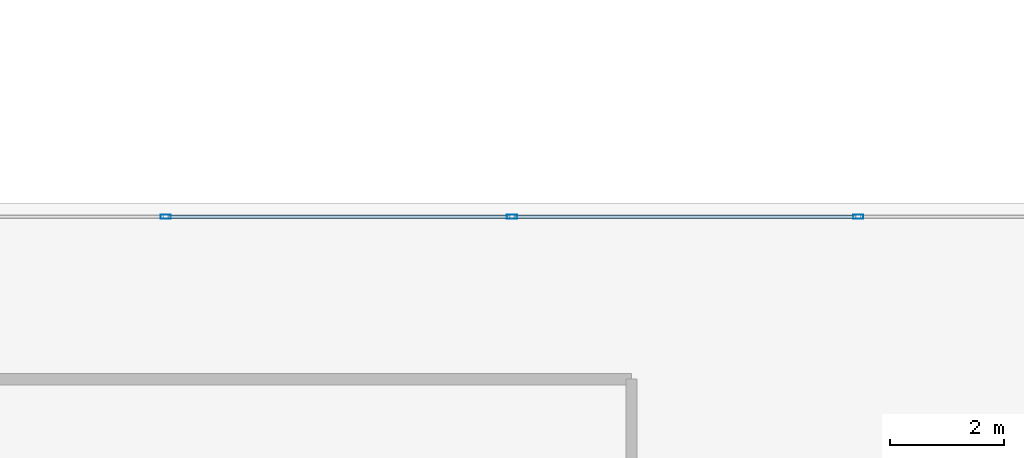
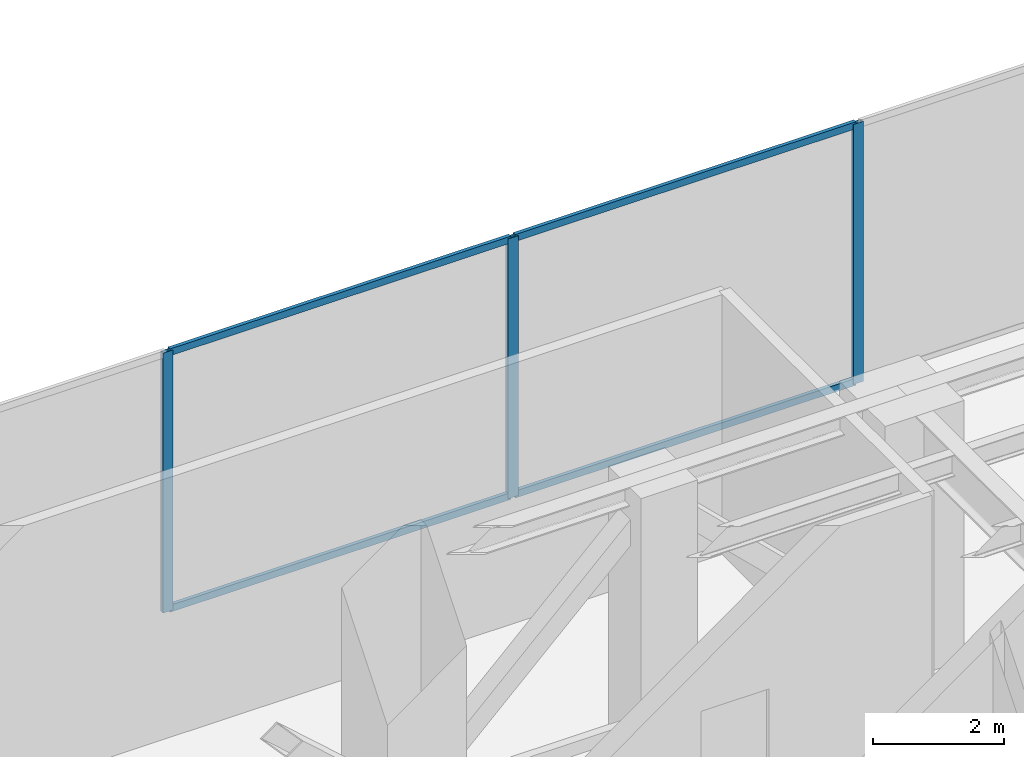
# One storey, part 18 of 37: 7 members, 1 element without a shape of its own.
"""IFC4 building model written with IfcOpenShell, lengths in metres."""

import ifcopenshell
import ifcopenshell.guid

model = None  # the IFC model being written
_history = None  # IfcOwnerHistory: only IFC2X3 demands one
_inside = {}  # id of a spatial element -> (the spatial element, [elements in it])
_under = {}  # id of a project, library or spatial element -> (it, [spatial elements below it])
_declared = {}  # id of a project -> (the project, [libraries it declares])
_typed = {}  # id of a type object -> (the type object, [elements of that type])
_made_of = {}  # id of a material, layer set ... -> (it, [elements and type objects made of it])


def new_model(schema):
    """Start an empty IFC model of exactly this schema.

    Asked for "IFC4X3", IfcOpenShell would pick the latest addendum, in which some entities
    have other attributes; the version numbers below select the first issue.
    IFC2X3 requires an IfcOwnerHistory on every rooted entity: one is made here for all.
    """
    global model, _history
    if schema == "IFC4X3":
        model = ifcopenshell.file(schema_version=(4, 3, 0, 0))
    else:
        model = ifcopenshell.file(schema=schema)
    _inside.clear()
    _under.clear()
    _declared.clear()
    _typed.clear()
    _made_of.clear()
    _history = None
    if model.schema == "IFC2X3":
        org = make("IfcOrganization", Name="unknown")
        user = make(
            "IfcPersonAndOrganization",
            ThePerson=make("IfcPerson", FamilyName="unknown"),
            TheOrganization=org,
        )
        app = make(
            "IfcApplication",
            ApplicationDeveloper=org,
            Version="unknown",
            ApplicationFullName="unknown",
            ApplicationIdentifier="unknown",
        )
        _history = make(
            "IfcOwnerHistory",
            OwningUser=user,
            OwningApplication=app,
            ChangeAction="ADDED",
            CreationDate=0,
        )
    return model


def make(cls, **values):
    """One entity of the class cls with the attributes given. An attribute that is None is left unset."""
    return model.create_entity(
        cls, **{name: value for name, value in values.items() if value is not None}
    )


def rooted(cls, **values):
    """An entity with a GlobalId (a new one), such as an element, a storey or a relation."""
    return make(cls, GlobalId=ifcopenshell.guid.new(), OwnerHistory=_history, **values)


def si_unit(unit_type, name, prefix=None):
    """IfcSIUnit, for example si_unit("LENGTHUNIT", "METRE", prefix="MILLI")."""
    return make("IfcSIUnit", UnitType=unit_type, Prefix=prefix, Name=name)


def assignment(units):
    """IfcUnitAssignment: the units of a project."""
    return None if units is None else make("IfcUnitAssignment", Units=units)


def point(xyz):
    """IfcCartesianPoint."""
    return None if xyz is None else make("IfcCartesianPoint", Coordinates=xyz)


def direction(xyz):
    """IfcDirection."""
    return None if xyz is None else make("IfcDirection", DirectionRatios=xyz)


def frame(location, z_axis=None, x_axis=None):
    """IfcAxis2Placement3D, a coordinate frame: its origin and axes. An axis left out is left unset."""
    return make(
        "IfcAxis2Placement3D",
        Location=point(location),
        Axis=direction(z_axis),
        RefDirection=direction(x_axis),
    )


def frame_2d(location, x_axis=None):
    """IfcAxis2Placement2D, a coordinate frame in the plane: its origin and x axis."""
    return make(
        "IfcAxis2Placement2D", Location=point(location), RefDirection=direction(x_axis)
    )


def origin():
    """The frame at (0, 0, 0) with its axes left unset."""
    return frame((0.0, 0.0, 0.0))


def origin_with_axes():
    """The frame at (0, 0, 0) with the z axis (0, 0, 1) and the x axis (1, 0, 0) written out."""
    return frame((0.0, 0.0, 0.0), z_axis=(0.0, 0.0, 1.0), x_axis=(1.0, 0.0, 0.0))


def origin_2d():
    """The frame at (0, 0) in the plane with its x axis left unset."""
    return frame_2d((0.0, 0.0))


def place(relative_to, where):
    """IfcLocalPlacement: puts the frame where relative to a parent placement (None: the world)."""
    return make(
        "IfcLocalPlacement", PlacementRelTo=relative_to, RelativePlacement=where
    )


def context(
    kind, dimensions, precision=None, world=None, true_north=None, identifier=None
):
    """IfcGeometricRepresentationContext, for example the 3D "Model" context."""
    return make(
        "IfcGeometricRepresentationContext",
        ContextIdentifier=identifier,
        ContextType=kind,
        CoordinateSpaceDimension=dimensions,
        Precision=precision,
        WorldCoordinateSystem=world,
        TrueNorth=true_north,
    )


def subcontext(parent, identifier, kind, view, scale=None):
    """IfcGeometricRepresentationSubContext, for example "Body" below "Model"."""
    return make(
        "IfcGeometricRepresentationSubContext",
        ContextIdentifier=identifier,
        ContextType=kind,
        ParentContext=parent,
        TargetScale=scale,
        TargetView=view,
    )


def project(units=None, contexts=None):
    """IfcProject with its units and contexts."""
    return rooted(
        "IfcProject",
        Name="project",
        RepresentationContexts=contexts,
        UnitsInContext=assignment(units),
    )


def spatial(cls, under=None, at=None, **own):
    """A site, building, storey or space (cls), placed at a placement, below another one or the project."""
    s = rooted(cls, ObjectPlacement=at, **own)
    if under is not None:
        _under.setdefault(under.id(), (under, []))[1].append(s)
    return s


def profile(cls, at=None, kind="AREA", **sizes):
    """A parametric profile (cls). Its sizes go by their IFC names, for example OverallWidth=200.0."""
    return make(cls, ProfileType=kind, Position=at, **sizes)


def hollow_rectangle(**sizes):
    """IfcRectangleHollowProfileDef."""
    return profile("IfcRectangleHollowProfileDef", **sizes)


def extrude(swept, where, along, depth):
    """IfcExtrudedAreaSolid: the profile swept, set in the frame where, extruded along a direction by depth."""
    return make(
        "IfcExtrudedAreaSolid",
        SweptArea=swept,
        Position=where,
        ExtrudedDirection=direction(along),
        Depth=depth,
    )


def shape(context_of_items, identifier, shape_type, items):
    """IfcShapeRepresentation: the items that make up one representation, for example the "Body"."""
    return make(
        "IfcShapeRepresentation",
        ContextOfItems=context_of_items,
        RepresentationIdentifier=identifier,
        RepresentationType=shape_type,
        Items=items,
    )


def source(mapping_origin, context_of_items, identifier, shape_type, items):
    """IfcRepresentationMap: a shape defined once, which mapped items show again and again."""
    return make(
        "IfcRepresentationMap",
        MappingOrigin=mapping_origin,
        MappedRepresentation=shape(context_of_items, identifier, shape_type, items),
    )


def transform(
    local_origin,
    x_axis=None,
    y_axis=None,
    z_axis=None,
    scale=None,
    scale2=None,
    scale3=None,
    uniform=True,
):
    """IfcCartesianTransformationOperator3D, or its non-uniform kind. x_axis, y_axis, z_axis: its Axis1, 2, 3."""
    if uniform:
        return make(
            "IfcCartesianTransformationOperator3D",
            Axis1=direction(x_axis),
            Axis2=direction(y_axis),
            LocalOrigin=point(local_origin),
            Scale=scale,
            Axis3=direction(z_axis),
        )
    return make(
        "IfcCartesianTransformationOperator3DnonUniform",
        Axis1=direction(x_axis),
        Axis2=direction(y_axis),
        LocalOrigin=point(local_origin),
        Scale=scale,
        Axis3=direction(z_axis),
        Scale2=scale2,
        Scale3=scale3,
    )


def mapped(mapping_source, mapping_target):
    """IfcMappedItem: shows the shape of a source again, moved by a transform."""
    return make(
        "IfcMappedItem", MappingSource=mapping_source, MappingTarget=mapping_target
    )


def material(Name=None, Category=None):
    """IfcMaterial."""
    return make("IfcMaterial", Name=Name, Category=Category)


def layer(
    of_material, thickness, ventilated=None, Name=None, Category=None, Priority=None
):
    """IfcMaterialLayer: one layer of a wall or slab, of a material (None: an air gap)."""
    return make(
        "IfcMaterialLayer",
        Material=of_material,
        LayerThickness=thickness,
        IsVentilated=ventilated,
        Name=Name,
        Category=Category,
        Priority=Priority,
    )


def layer_set(layers, Name=None):
    """IfcMaterialLayerSet."""
    return make("IfcMaterialLayerSet", MaterialLayers=layers, LayerSetName=Name)


def material_profile(
    of_material, cross_section, Name=None, Category=None, Priority=None
):
    """IfcMaterialProfile: a cross section and its material."""
    return make(
        "IfcMaterialProfile",
        Name=Name,
        Material=of_material,
        Profile=cross_section,
        Priority=Priority,
        Category=Category,
    )


def profile_set(profiles, Name=None, composite=None):
    """IfcMaterialProfileSet."""
    return make(
        "IfcMaterialProfileSet",
        Name=Name,
        MaterialProfiles=profiles,
        CompositeProfile=composite,
    )


def made_of(thing, what):
    """Note that an element or type object is made of a material, layer set ...; save() writes the relation."""
    if what is not None:
        _made_of.setdefault(what.id(), (what, []))[1].append(thing)
    return thing


def type_object(cls, material=None, **own):
    """A type object (cls), such as IfcWallType, which elements share."""
    return made_of(rooted(cls, **own), material)


def element(
    cls,
    number,
    at=None,
    inside=None,
    cuts=None,
    type_object=None,
    material=None,
    context=None,
    identifier="Body",
    shape_type=None,
    held_by="IfcProductDefinitionShape",
    body=None,
    shapes=None,
    **own,
):
    """One element of the class cls, such as IfcWall. Its Tag is "e" and its number.

    at: its placement. inside: the storey or other place that contains it. cuts: it is an
    opening in that element (IfcRelVoidsElement). A single representation is given by context,
    identifier, shape_type and body (its items); several are given by shapes. held_by: the class
    of the entity that holds the representations. save() writes the other relations.
    """
    e = rooted(cls, Tag="e%d" % number, ObjectPlacement=at, **own)
    if body is not None:
        shapes = [shape(context, identifier, shape_type, body)]
    if shapes is not None:
        e.Representation = make(held_by, Representations=shapes)
    if inside is not None:
        _inside.setdefault(inside.id(), (inside, []))[1].append(e)
    if cuts is not None:
        rooted(
            "IfcRelVoidsElement", RelatingBuildingElement=cuts, RelatedOpeningElement=e
        )
    if type_object is not None:
        _typed.setdefault(type_object.id(), (type_object, []))[1].append(e)
    return made_of(e, material)


def aggregate(whole, parts):
    """IfcRelAggregates: a whole, such as a stair, and the parts it consists of."""
    return rooted("IfcRelAggregates", RelatingObject=whole, RelatedObjects=parts)


def save(model, path):
    """Write the relations noted so far, then the file.

    IfcRelAggregates (storeys below a building ...), IfcRelContainedInSpatialStructure (elements
    in a storey), IfcRelDefinesByType, IfcRelAssociatesMaterial and IfcRelDeclares: one each for
    every whole, place, type object, material and project.
    """
    for whole, parts in _under.values():
        aggregate(whole, parts)
    for where, things in _inside.values():
        rooted(
            "IfcRelContainedInSpatialStructure",
            RelatedElements=things,
            RelatingStructure=where,
        )
    for kind, things in _typed.values():
        rooted("IfcRelDefinesByType", RelatedObjects=things, RelatingType=kind)
    for what, things in _made_of.values():
        rooted("IfcRelAssociatesMaterial", RelatedObjects=things, RelatingMaterial=what)
    for by, libraries in _declared.values():
        rooted("IfcRelDeclares", RelatingContext=by, RelatedDefinitions=libraries)
    model.write(path)


model = new_model("IFC4")

# Units and contexts
model_context = context("Model", 3, precision=1e-05, world=origin(), true_north=direction((0.0, 1.0)))
body_context = subcontext(model_context, "Body", "Model", "MODEL_VIEW")
ifc_project = project(units=[si_unit("LENGTHUNIT", "METRE"), si_unit("AREAUNIT", "SQUARE_METRE"), si_unit("VOLUMEUNIT", "CUBIC_METRE"), si_unit("PLANEANGLEUNIT", "RADIAN"), si_unit("MASSUNIT", "GRAM", prefix="KILO")], contexts=[model_context])

# Site, building, storey
site_placement = place(None, origin())
site = spatial("IfcSite", under=ifc_project, at=site_placement, CompositionType="ELEMENT")
building_placement = place(site_placement, origin())
building = spatial("IfcBuilding", under=site, at=building_placement, Name="Kolvaren Waterfront Exchange", CompositionType="ELEMENT")
storey_placement = place(building_placement, frame((0.0, 0.0, 141.10009765625)))
storey = spatial("IfcBuildingStorey", under=building, at=storey_placement, Name="L36", CompositionType="ELEMENT", Elevation=141.10009765625)

# Curtain wall, members
ifc_material_1 = material(Name="Anodised dark bronze spandrel aluminium", Category="aluminium")
ifc_layer = layer(ifc_material_1, 0.219970703125, Name="Anodised dark bronze spandrel aluminium")
ifc_layer_set = layer_set([ifc_layer], Name="Anodised dark bronze spandrel aluminium")
curtain_wall_type = type_object("IfcCurtainWallType", Name="ARC-CW-SYS6", PredefinedType="USERDEFINED", material=ifc_layer_set)
curtain_wall_placement = place(storey_placement, origin())
curtain_wall = element("IfcCurtainWall", 1, at=curtain_wall_placement, inside=storey, type_object=curtain_wall_type, Name="L36 stick curtain wall CW6 (CW-L36-EN)", ObjectType="STICK CURTAIN WALL", PredefinedType="USERDEFINED")
ifc_material_2 = material(Name="Anodised bronze aluminium 6063-T6", Category="aluminium")
ifc_material_profile_1 = material_profile(ifc_material_2, hollow_rectangle(XDim=0.074951171875, YDim=0.179931640625, WallThickness=0.00439453125, at=origin_2d()), Name="ALU-MUL-180x75x4.5")
ifc_profile_set_1 = profile_set([ifc_material_profile_1], Name="Anodised bronze aluminium 6063-T6")
member_type_1 = type_object("IfcMemberType", Name="ARC-CWM-180", PredefinedType="MULLION", material=ifc_profile_set_1)
shared_shape_1 = source(origin_with_axes(), body_context, "Body", "SweptSolid", [
    extrude(hollow_rectangle(XDim=0.074951171875, YDim=0.179931640625, WallThickness=0.00439453125, at=origin_2d()), origin(), (0.0, 0.0, 1.0), 4.85986328125),
])
member_1_placement = place(storey_placement, frame((36.392578125, 23.9599609375, 0.0), z_axis=(0.0, 0.0, 1.0), x_axis=(0.0, 1.0, 0.0)))
member_1 = element("IfcMember", 2, at=member_1_placement, type_object=member_type_1, Name="CW6 mullion 2", PredefinedType="MULLION", context=body_context, shape_type="MappedRepresentation", body=[
    mapped(shared_shape_1, transform((0.0, 0.0, 0.0), x_axis=(1.0, 0.0, 0.0), y_axis=(0.0, 1.0, 0.0), z_axis=(0.0, 0.0, 1.0), scale=1.0)),
])
member_2_placement = place(storey_placement, frame((42.4951171875, 23.9599609375, 0.0), z_axis=(0.0, 0.0, 1.0), x_axis=(0.0, 1.0, 0.0)))
member_2 = element("IfcMember", 3, at=member_2_placement, type_object=member_type_1, Name="CW6 mullion 3", PredefinedType="MULLION", context=body_context, shape_type="MappedRepresentation", body=[
    mapped(shared_shape_1, transform((0.0, 0.0, 0.0), x_axis=(1.0, 0.0, 0.0), y_axis=(0.0, 1.0, 0.0), z_axis=(0.0, 0.0, 1.0), scale=1.0)),
])
member_3_placement = place(storey_placement, frame((48.597412109375, 23.9599609375, 0.0), z_axis=(0.0, 0.0, 1.0), x_axis=(0.0, 1.0, 0.0)))
member_3 = element("IfcMember", 4, at=member_3_placement, type_object=member_type_1, Name="CW6 mullion 4", PredefinedType="MULLION", context=body_context, shape_type="MappedRepresentation", body=[
    mapped(shared_shape_1, transform((0.0, 0.0, 0.0), x_axis=(1.0, 0.0, 0.0), y_axis=(0.0, 1.0, 0.0), z_axis=(0.0, 0.0, 1.0), scale=1.0)),
])
ifc_material_profile_2 = material_profile(ifc_material_2, hollow_rectangle(XDim=0.06494140625, YDim=0.1298828125, WallThickness=0.00390625, at=origin_2d()), Name="ALU-TRN-130x65x4")
ifc_profile_set_2 = profile_set([ifc_material_profile_2], Name="Anodised bronze aluminium 6063-T6")
member_type_2 = type_object("IfcMemberType", Name="ARC-CWT-130", PredefinedType="USERDEFINED", material=ifc_profile_set_2)
shared_shape_2 = source(origin_with_axes(), body_context, "Body", "SweptSolid", [
    extrude(hollow_rectangle(XDim=0.06494140625, YDim=0.1298828125, WallThickness=0.00390625, at=origin_2d()), origin(), (0.0, 0.0, 1.0), 6.027587890625),
])
member_4_placement = place(storey_placement, frame((36.429931640625, 23.9599609375, 0.032470703125), z_axis=(1.0, 0.0, 0.0), x_axis=(0.0, 1.0, 0.0)))
member_4 = element("IfcMember", 5, at=member_4_placement, type_object=member_type_2, Name="CW6 transom 2.1", ObjectType="TRANSOM", PredefinedType="USERDEFINED", context=body_context, shape_type="MappedRepresentation", body=[
    mapped(shared_shape_2, transform((0.0, 0.0, 0.0), x_axis=(1.0, 0.0, 0.0), y_axis=(0.0, 1.0, 0.0), z_axis=(0.0, 0.0, 1.0), scale=1.0)),
])
member_5_placement = place(storey_placement, frame((36.429931640625, 23.9599609375, 4.827392578125), z_axis=(1.0, 0.0, 0.0), x_axis=(0.0, 1.0, 0.0)))
member_5 = element("IfcMember", 6, at=member_5_placement, type_object=member_type_2, Name="CW6 transom 2.2", ObjectType="TRANSOM", PredefinedType="USERDEFINED", context=body_context, shape_type="MappedRepresentation", body=[
    mapped(shared_shape_2, transform((0.0, 0.0, 0.0), x_axis=(1.0, 0.0, 0.0), y_axis=(0.0, 1.0, 0.0), z_axis=(0.0, 0.0, 1.0), scale=1.0)),
])
member_6_placement = place(storey_placement, frame((42.532470703125, 23.9599609375, 0.032470703125), z_axis=(1.0, 0.0, 0.0), x_axis=(0.0, 1.0, 0.0)))
member_6 = element("IfcMember", 7, at=member_6_placement, type_object=member_type_2, Name="CW6 transom 3.1", ObjectType="TRANSOM", PredefinedType="USERDEFINED", context=body_context, shape_type="MappedRepresentation", body=[
    mapped(shared_shape_2, transform((0.0, 0.0, 0.0), x_axis=(1.0, 0.0, 0.0), y_axis=(0.0, 1.0, 0.0), z_axis=(0.0, 0.0, 1.0), scale=1.0)),
])
member_7_placement = place(storey_placement, frame((42.532470703125, 23.9599609375, 4.827392578125), z_axis=(1.0, 0.0, 0.0), x_axis=(0.0, 1.0, 0.0)))
member_7 = element("IfcMember", 8, at=member_7_placement, type_object=member_type_2, Name="CW6 transom 3.2", ObjectType="TRANSOM", PredefinedType="USERDEFINED", context=body_context, shape_type="MappedRepresentation", body=[
    mapped(shared_shape_2, transform((0.0, 0.0, 0.0), x_axis=(1.0, 0.0, 0.0), y_axis=(0.0, 1.0, 0.0), z_axis=(0.0, 0.0, 1.0), scale=1.0)),
])
aggregate(curtain_wall, [member_1, member_2, member_3, member_4, member_5, member_6, member_7])

save(model, "model.ifc")
